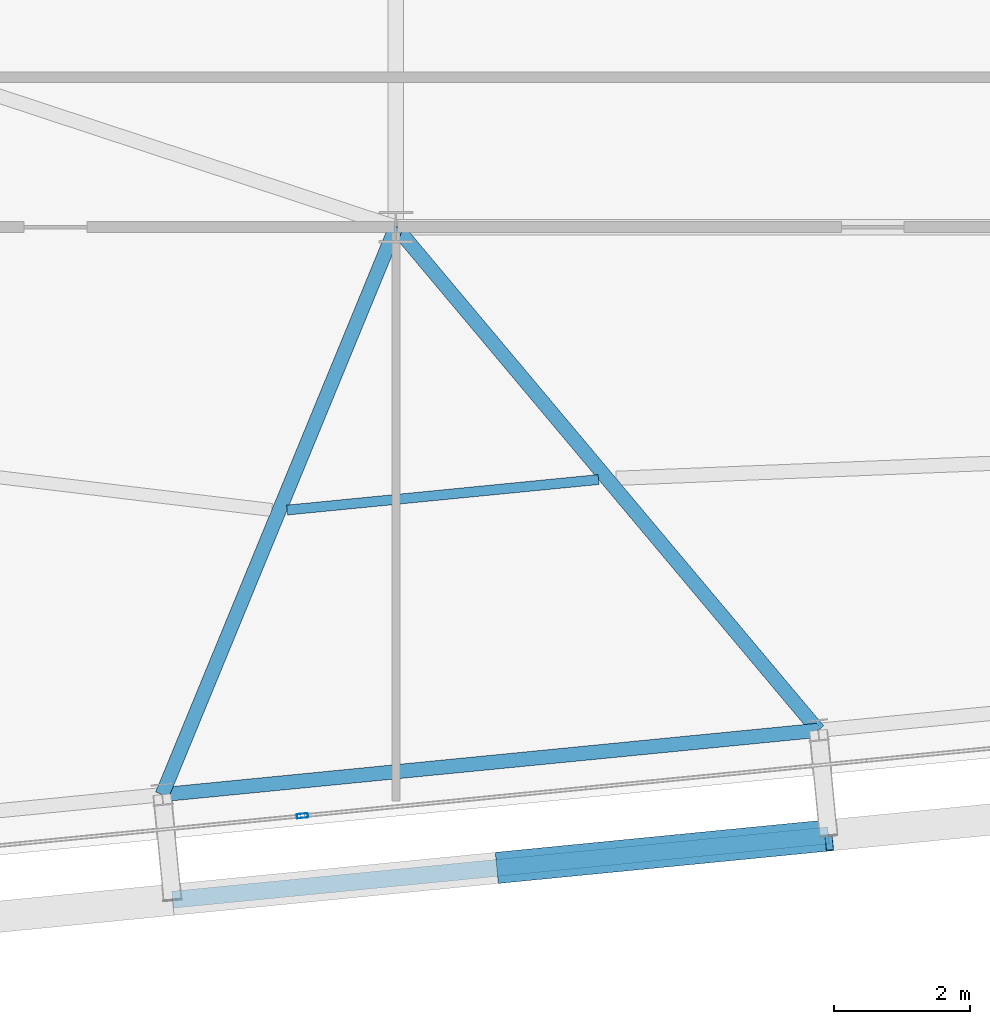
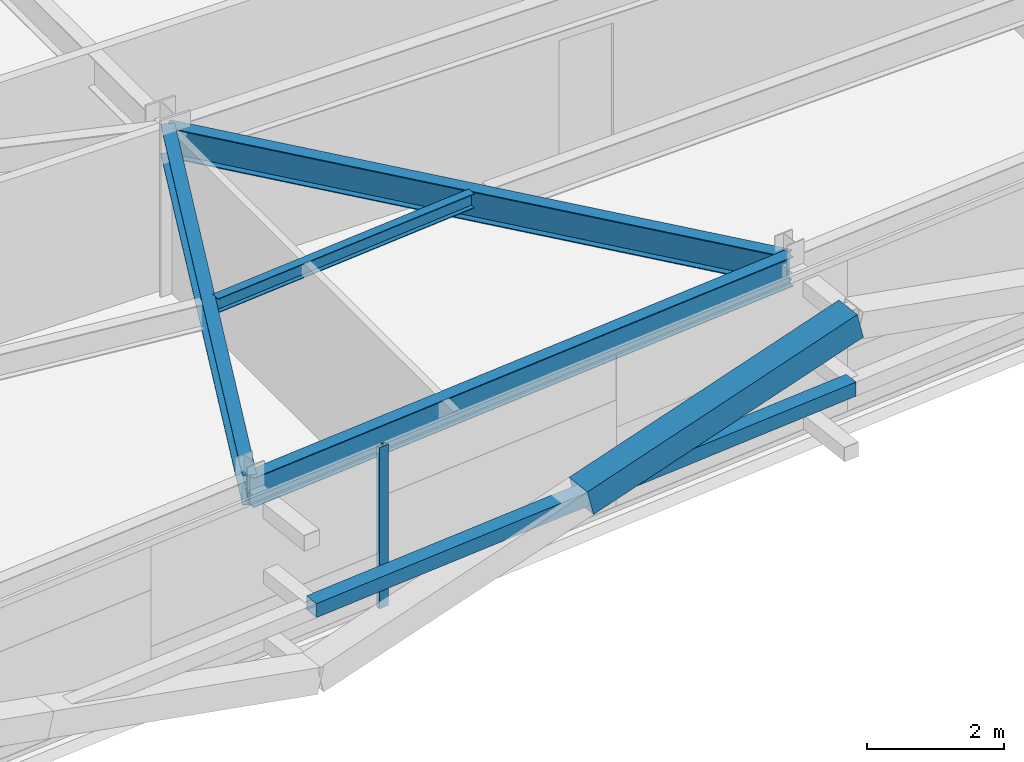
# One storey, part 9 of 47: 4 beams, 3 members, 1 element without a shape of its own.
"""IFC4 building model written with IfcOpenShell, lengths in metres."""

from ifc_helpers import new_model, si_unit, direction, frame, origin, origin_2d, place, context, subcontext, project, spatial, hollow_rectangle, i_section, extrude, source, transform, mapped, material, layer, layer_set, material_profile, profile_set, type_object, element, aggregate, save


model = new_model("IFC4")

# Units and contexts
model_context = context("Model", 3, precision=1e-05, world=origin(), true_north=direction((0.0, 1.0)))
body_context = subcontext(model_context, "Body", "Model", "MODEL_VIEW")
ifc_project = project(units=[si_unit("LENGTHUNIT", "METRE"), si_unit("AREAUNIT", "SQUARE_METRE"), si_unit("VOLUMEUNIT", "CUBIC_METRE"), si_unit("PLANEANGLEUNIT", "RADIAN"), si_unit("MASSUNIT", "GRAM", prefix="KILO")], contexts=[model_context])

# Site, building, storey
site_placement = place(None, origin())
site = spatial("IfcSite", under=ifc_project, at=site_placement, CompositionType="ELEMENT")
building_placement = place(site_placement, origin())
building = spatial("IfcBuilding", under=site, at=building_placement, Name="Taldren Reach Tower", CompositionType="ELEMENT")
storey_placement = place(building_placement, frame((0.0, 0.0, 109.199951171875)))
storey = spatial("IfcBuildingStorey", under=building, at=storey_placement, Name="L33", CompositionType="ELEMENT", Elevation=109.199951171875)

# Beams
ifc_material_1 = material(Name="Steel Gr 350 (350PLUS)", Category="steel")
ifc_material_profile_1 = material_profile(ifc_material_1, i_section(OverallWidth=0.208984375, OverallDepth=0.528076171875, WebThickness=0.009521484375, FlangeThickness=0.01318359375, at=origin_2d()), Name="530UB82.0")
ifc_profile_set_1 = profile_set([ifc_material_profile_1], Name="Steel Gr 350 (350PLUS)")
beam_type_1 = type_object("IfcBeamType", Name="SP-UB530B", PredefinedType="SPANDREL", material=ifc_profile_set_1)
shared_shape_1 = source(origin(), body_context, "Body", "SweptSolid", [
    extrude(i_section(OverallWidth=0.208984375, OverallDepth=0.528076171875, WebThickness=0.009521484375, FlangeThickness=0.01318359375, at=origin_2d()), origin(), (0.0, 0.0, 1.0), 9.679931640625),
])
beam_1_placement = place(storey_placement, frame((24.56787109375, 0.86474609375, 2.60595703125), z_axis=(0.995227612658, 0.097580730699, 0.0), x_axis=(-0.097580730699, 0.995227612658, 0.0)))
element("IfcBeam", 1, at=beam_1_placement, inside=storey, type_object=beam_type_1, Name="Perimeter spandrel B2 S2-S3 L33", PredefinedType="SPANDREL", context=body_context, shape_type="MappedRepresentation", body=[
    mapped(shared_shape_1, transform((0.0, 0.0, 0.0), scale=1.0)),
])
ifc_material_profile_2 = material_profile(ifc_material_1, i_section(OverallWidth=0.208984375, OverallDepth=0.532958984375, WebThickness=0.01025390625, FlangeThickness=0.015625, at=origin_2d()), Name="530UB92.4")
ifc_profile_set_2 = profile_set([ifc_material_profile_2], Name="Steel Gr 350 (350PLUS)")
beam_type_2 = type_object("IfcBeamType", Name="BM-UB530A", PredefinedType="BEAM", material=ifc_profile_set_2)
shared_shape_2 = source(origin(), body_context, "Body", "SweptSolid", [
    extrude(i_section(OverallWidth=0.208984375, OverallDepth=0.532958984375, WebThickness=0.01025390625, FlangeThickness=0.015625, at=origin_2d()), origin(), (0.0, 0.0, 1.0), 9.01416015625),
])
beam_2_placement = place(storey_placement, frame((28.0, 9.199951171875, 2.603515625), z_axis=(-0.380748443035, -0.924678659387, 0.0), x_axis=(0.924678659387, -0.380748443035, 0.0)))
element("IfcBeam", 2, at=beam_2_placement, inside=storey, type_object=beam_type_2, Name="Primary floor girder B2-S2 L33", PredefinedType="BEAM", context=body_context, shape_type="MappedRepresentation", body=[
    mapped(shared_shape_2, transform((0.0, 0.0, 0.0), scale=1.0)),
])
shared_shape_3 = source(origin(), body_context, "Body", "SweptSolid", [
    extrude(i_section(OverallWidth=0.208984375, OverallDepth=0.532958984375, WebThickness=0.01025390625, FlangeThickness=0.015625, at=origin_2d()), origin(), (0.0, 0.0, 1.0), 9.64794921875),
])
beam_3_placement = place(storey_placement, frame((28.0, 9.199951171875, 2.603515625), z_axis=(0.642799132398, -0.766034774268, 0.0), x_axis=(0.766034774268, 0.642799132398, 0.0)))
element("IfcBeam", 3, at=beam_3_placement, inside=storey, type_object=beam_type_2, Name="Primary floor girder B2-S3 L33", PredefinedType="BEAM", context=body_context, shape_type="MappedRepresentation", body=[
    mapped(shared_shape_3, transform((0.0, 0.0, 0.0), scale=1.0)),
])
ifc_material_2 = material(Name="Steel Gr 300 (300PLUS, 300 MPa)", Category="steel")
ifc_material_profile_3 = material_profile(ifc_material_2, i_section(OverallWidth=0.14599609375, OverallDepth=0.256103515625, WebThickness=0.00634765625, FlangeThickness=0.010986328125, at=origin_2d()), Name="250UB37.3")
ifc_profile_set_3 = profile_set([ifc_material_profile_3], Name="Steel Gr 300 (300PLUS, 300 MPa)")
beam_type_3 = type_object("IfcBeamType", Name="JS-UB250", PredefinedType="JOIST", material=ifc_profile_set_3)
shared_shape_4 = source(origin(), body_context, "Body", "SweptSolid", [
    extrude(i_section(OverallWidth=0.14599609375, OverallDepth=0.256103515625, WebThickness=0.00634765625, FlangeThickness=0.010986328125, at=origin_2d()), origin(), (0.0, 0.0, 1.0), 4.594970703125),
])
beam_4_placement = place(storey_placement, frame((26.40185546875, 5.0439453125, 2.741943359375), z_axis=(0.995230447096, 0.097551817888, 0.0), x_axis=(-0.097551817888, 0.995230447096, 0.0)))
element("IfcBeam", 4, at=beam_4_placement, inside=storey, type_object=beam_type_3, Name="Secondary floor joist B2 J2 L33", PredefinedType="JOIST", context=body_context, shape_type="MappedRepresentation", body=[
    mapped(shared_shape_4, transform((0.0, 0.0, 0.0), scale=1.0)),
])

# Members
ifc_material_3 = material(Name="Steel Gr 350 (C350L0)", Category="steel")
ifc_material_profile_4 = material_profile(ifc_material_3, hollow_rectangle(XDim=0.25, YDim=0.25, WallThickness=0.010009765625, at=origin_2d()), Name="250x250x10.0SHS")
ifc_profile_set_4 = profile_set([ifc_material_profile_4], Name="Steel Gr 350 (C350L0)")
member_type_1 = type_object("IfcMemberType", Name="MB-POST250", PredefinedType="POST", material=ifc_profile_set_4)
shared_shape_5 = source(origin(), body_context, "Body", "SweptSolid", [
    extrude(hollow_rectangle(XDim=0.25, YDim=0.25, WallThickness=0.010009765625, at=origin_2d()), origin(), (0.0, 0.0, 1.0), 9.679931640625),
])
member_1_placement = place(storey_placement, frame((24.71923828125, -0.677978515625, 1.405029296875), z_axis=(0.995227612658, 0.097580730699, 0.0), x_axis=(-0.097580730699, 0.995227612658, 0.0)))
element("IfcMember", 5, at=member_1_placement, inside=storey, type_object=member_type_1, Name="Exoskeleton mid-height ring chord B2-S2 L33", PredefinedType="POST", context=body_context, shape_type="MappedRepresentation", body=[
    mapped(shared_shape_5, transform((0.0, 0.0, 0.0), scale=1.0)),
])
ifc_material_4 = material(Name="Steel Gr 450 (C450L0)", Category="steel")
ifc_material_profile_5 = material_profile(ifc_material_4, hollow_rectangle(XDim=0.4599609375, YDim=0.4599609375, WallThickness=0.01611328125, at=origin_2d()), Name="460x460x16.0SHS")
ifc_profile_set_5 = profile_set([ifc_material_profile_5], Name="Steel Gr 450 (C450L0)")
member_type_2 = type_object("IfcMemberType", Name="MB-EXO457", PredefinedType="BRACE", material=ifc_profile_set_5)
shared_shape_6 = source(origin(), body_context, "Body", "SweptSolid", [
    extrude(hollow_rectangle(XDim=0.4599609375, YDim=0.4599609375, WallThickness=0.01611328125, at=origin_2d()), origin(), (0.0, 0.0, 1.0), 4.98291015625),
])
member_2_placement = place(storey_placement, frame((29.5361328125, -0.20556640625, 1.405029296875), z_axis=(0.966675489194, 0.094756735738, 0.23782274833), x_axis=(-0.097555749586, 0.995230061706, 0.0)))
element("IfcMember", 6, at=member_2_placement, inside=storey, type_object=member_type_2, Name="Exoskeleton Diagrid Brace B2-S2 L33", PredefinedType="BRACE", context=body_context, shape_type="MappedRepresentation", body=[
    mapped(shared_shape_6, transform((0.0, 0.0, 0.0), scale=1.0)),
])

# Curtain wall, member
ifc_material_5 = material(Name="Aluminium and Low-E Glass Unitised System", Category="aluminium")
ifc_layer = layer(ifc_material_5, 0.159912109375)
ifc_layer_set = layer_set([ifc_layer], Name="Aluminium and Low-E Glass Unitised System")
curtain_wall_type = type_object("IfcCurtainWallType", Name="CW-SYS-3", PredefinedType="NOTDEFINED", material=ifc_layer_set)
curtain_wall_placement = place(storey_placement, origin())
curtain_wall = element("IfcCurtainWall", 7, at=curtain_wall_placement, inside=storey, type_object=curtain_wall_type, Name="Unitised curtain wall CW-L33-S", PredefinedType="NOTDEFINED")
ifc_material_6 = material(Name="Anodised Aluminium 6063-T6", Category="aluminium")
ifc_material_profile_6 = material_profile(ifc_material_6, hollow_rectangle(XDim=0.06494140625, YDim=0.1650390625, WallThickness=0.00390625, at=origin_2d()), Name="ALU-165x65x4RHS")
ifc_profile_set_6 = profile_set([ifc_material_profile_6], Name="Anodised Aluminium 6063-T6")
member_type_3 = type_object("IfcMemberType", Name="CW-MUL-165", PredefinedType="MULLION", material=ifc_profile_set_6)
shared_shape_7 = source(origin(), body_context, "Body", "SweptSolid", [
    extrude(hollow_rectangle(XDim=0.06494140625, YDim=0.1650390625, WallThickness=0.00390625, at=origin_2d()), origin(), (0.0, 0.0, 1.0), 2.8701171875),
])
member_3_placement = place(storey_placement, frame((26.628173828125, 0.55419921875, 0.0), z_axis=(0.0, 0.0, 1.0), x_axis=(-0.097582999046, 0.995227390247, 0.0)))
member_3 = element("IfcMember", 8, at=member_3_placement, type_object=member_type_3, Name="CW-3 mullion 2", PredefinedType="MULLION", context=body_context, shape_type="MappedRepresentation", body=[
    mapped(shared_shape_7, transform((0.0, 0.0, 0.0), scale=1.0)),
])
aggregate(curtain_wall, [member_3])

save(model, "model.ifc")
